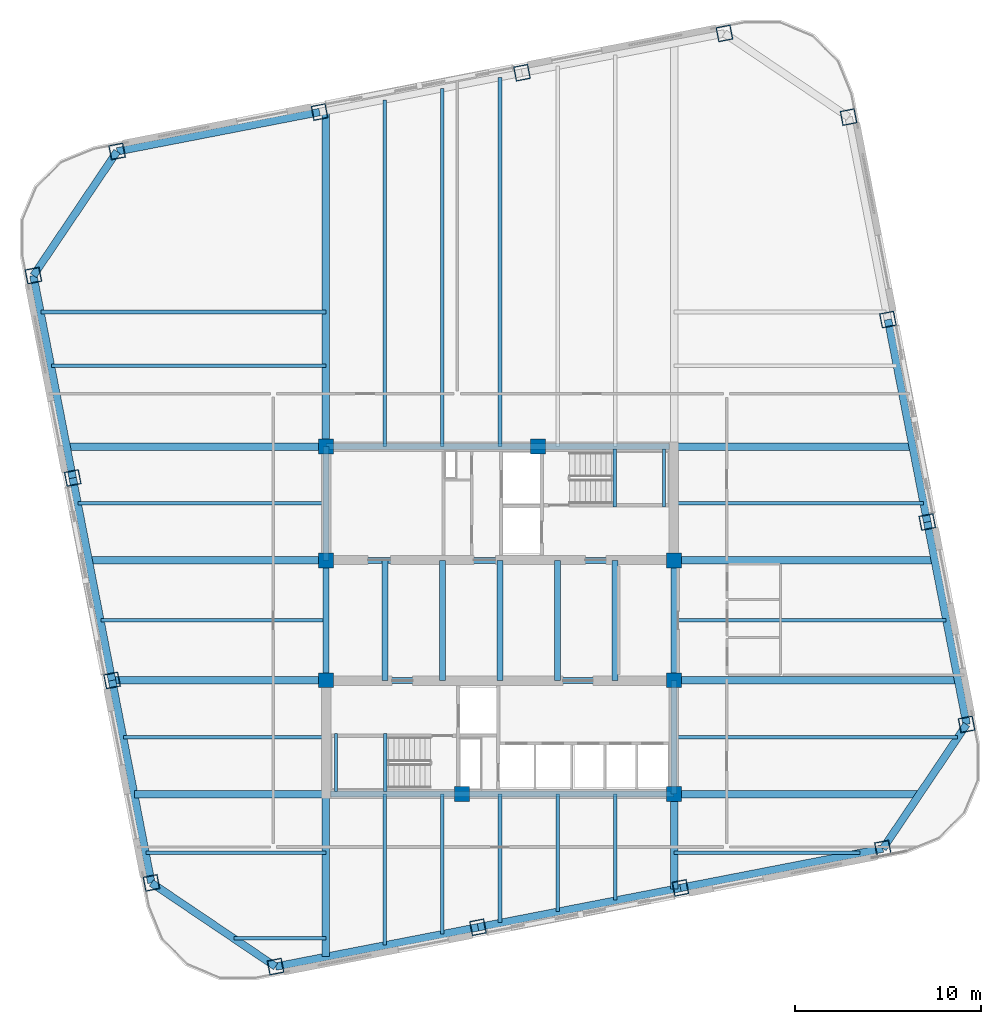
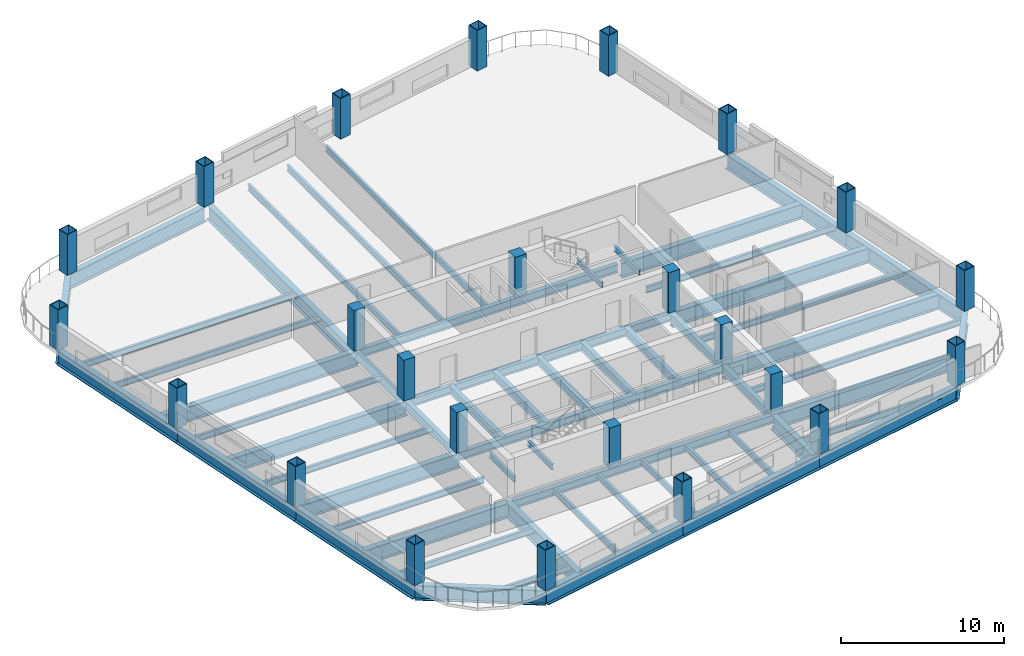
# One storey, part 1 of 8: 59 beams, 24 columns.
"""IFC4 building model written with IfcOpenShell, lengths in metres."""

from ifc_helpers import new_model, si_unit, direction, frame, origin, origin_2d, place, context, subcontext, project, spatial, rectangle, hollow_rectangle, i_section, extrude, material, material_profile, profile_set, type_object, element, save


model = new_model("IFC4")

# Units and contexts
model_context = context("Model", 3, precision=1e-05, world=origin(), true_north=direction((0.0, 1.0)))
body_context = subcontext(model_context, "Body", "Model", "MODEL_VIEW")
ifc_project = project(units=[si_unit("LENGTHUNIT", "METRE"), si_unit("AREAUNIT", "SQUARE_METRE"), si_unit("VOLUMEUNIT", "CUBIC_METRE"), si_unit("PLANEANGLEUNIT", "RADIAN"), si_unit("MASSUNIT", "GRAM", prefix="KILO")], contexts=[model_context])

# Site, building, storey
site_placement = place(None, origin())
site = spatial("IfcSite", under=ifc_project, at=site_placement, CompositionType="ELEMENT")
building_placement = place(site_placement, origin())
building = spatial("IfcBuilding", under=site, at=building_placement, Name="Qhalaya Broadcast Tower", CompositionType="ELEMENT")
storey_placement = place(building_placement, frame((0.0, 0.0, 115.85009765625)))
storey = spatial("IfcBuildingStorey", under=building, at=storey_placement, Name="L33", CompositionType="ELEMENT", Elevation=115.85009765625)

# Columns
ifc_material_1 = material(Name="Concrete C50/60", Category="concrete")
ifc_material_profile_1 = material_profile(ifc_material_1, rectangle(XDim=0.800048828125, YDim=0.800048828125, at=origin_2d()), Name="RC-COL 800x800")
ifc_profile_set_1 = profile_set([ifc_material_profile_1], Name="Concrete C50/60")
column_type_1 = type_object("IfcColumnType", Name="RC Upper Column C10", PredefinedType="COLUMN", material=ifc_profile_set_1)
for number, where, z_axis, x_axis, name in (
    (1, (-9.375, 9.949951171875, 0.0), (0.0, 0.0, 1.0), (1.0, 0.0, 0.0), "L33 Column COL-CC1"),
    (2, (2.050048828125, 9.949951171875, 0.0), (0.0, 0.0, 1.0), (1.0, 0.0, 0.0), "L33 Column COL-CC2"),
    (3, (-9.375, 3.824951171875, 0.0), (0.0, 0.0, 1.0), (1.0, 0.0, 0.0), "L33 Column COL-CC3"),
    (4, (9.375, 3.824951171875, 0.0), (0.0, 0.0, 1.0), (1.0, 0.0, 0.0), "L33 Column COL-CC4"),
    (5, (-9.375, -2.625, 0.0), (0.0, 0.0, 1.0), (1.0, 0.0, 0.0), "L33 Column COL-CC5"),
    (6, (9.375, -2.625, 0.0), (0.0, 0.0, 1.0), (1.0, 0.0, 0.0), "L33 Column COL-CC6"),
    (7, (-2.050048828125, -8.75, 0.0), (0.0, 0.0, 1.0), (1.0, 0.0, 0.0), "L33 Column COL-CC7"),
    (8, (9.375, -8.75, 0.0), (0.0, 0.0, 1.0), (1.0, 0.0, 0.0), "L33 Column COL-CC8"),
):
    element("IfcColumn", number, at=place(storey_placement, frame(where, z_axis=z_axis, x_axis=x_axis)), inside=storey, type_object=column_type_1, Name=name, PredefinedType="COLUMN", context=body_context, shape_type="SweptSolid", body=[
        extrude(rectangle(XDim=0.800048828125, YDim=0.800048828125, at=origin_2d()), origin(), (0.0, 0.0, 1.0), 3.0498046875),
    ])
ifc_material_2 = material(Name="Structural Steel ASTM A572 Grade 50", Category="steel")
ifc_material_profile_2 = material_profile(ifc_material_2, hollow_rectangle(XDim=0.800048828125, YDim=0.800048828125, WallThickness=0.050048828125, at=origin_2d()), Name="BOX 800x800x50")
ifc_profile_set_2 = profile_set([ifc_material_profile_2], Name="Structural Steel ASTM A572 Grade 50")
column_type_2 = type_object("IfcColumnType", Name="Steel Box Column C03", PredefinedType="COLUMN", material=ifc_profile_set_2)
for number, where, z_axis, x_axis, name in (
    (9, (-12.07958984375, -18.036376953125, 0.0), (0.0, 0.0, 1.0), (0.981627183448, 0.190808995377, 0.0), "L33 Column COL-EX01"),
    (10, (-1.183349609375, -15.91845703125, 0.0), (0.0, 0.0, 1.0), (0.981627183448, 0.190808995377, 0.0), "L33 Column COL-EX02"),
    (11, (9.712646484375, -13.80029296875, 0.0), (0.0, 0.0, 1.0), (0.981627183448, 0.190808995377, 0.0), "L33 Column COL-EX03"),
    (12, (20.608642578125, -11.682373046875, 0.0), (0.0, 0.0, 1.0), (0.981627183448, 0.190808995377, 0.0), "L33 Column COL-EX04"),
    (13, (25.1162109375, -4.99951171875, 0.0), (0.0, 0.0, 1.0), (-0.190808995377, 0.981627183448, 0.0), "L33 Column COL-EX05"),
    (14, (22.998291015625, 5.896484375, 0.0), (0.0, 0.0, 1.0), (-0.190808995377, 0.981627183448, 0.0), "L33 Column COL-EX06"),
    (15, (20.88037109375, 16.79248046875, 0.0), (0.0, 0.0, 1.0), (-0.190808995377, 0.981627183448, 0.0), "L33 Column COL-EX07"),
    (16, (18.762451171875, 27.688720703125, 0.0), (0.0, 0.0, 1.0), (-0.190808995377, 0.981627183448, 0.0), "L33 Column COL-EX08"),
    (17, (12.07958984375, 32.1962890625, 0.0), (0.0, 0.0, 1.0), (0.981627183448, 0.190808995377, 0.0), "L33 Column COL-EX09"),
    (18, (1.183349609375, 30.078369140625, 0.0), (0.0, 0.0, 1.0), (0.981627183448, 0.190808995377, 0.0), "L33 Column COL-EX10"),
    (19, (-9.712646484375, 27.96044921875, 0.0), (0.0, 0.0, 1.0), (0.981627183448, 0.190808995377, 0.0), "L33 Column COL-EX11"),
    (20, (-20.608642578125, 25.84228515625, 0.0), (0.0, 0.0, 1.0), (0.981627183448, 0.190808995377, 0.0), "L33 Column COL-EX12"),
    (21, (-25.1162109375, 19.159423828125, 0.0), (0.0, 0.0, 1.0), (-0.190808995377, 0.981627183448, 0.0), "L33 Column COL-EX13"),
    (22, (-22.998291015625, 8.263427734375, 0.0), (0.0, 0.0, 1.0), (-0.190808995377, 0.981627183448, 0.0), "L33 Column COL-EX14"),
    (23, (-20.88037109375, -2.632568359375, 0.0), (0.0, 0.0, 1.0), (-0.190808995377, 0.981627183448, 0.0), "L33 Column COL-EX15"),
    (24, (-18.762451171875, -13.52880859375, 0.0), (0.0, 0.0, 1.0), (-0.190808995377, 0.981627183448, 0.0), "L33 Column COL-EX16"),
):
    element("IfcColumn", number, at=place(storey_placement, frame(where, z_axis=z_axis, x_axis=x_axis)), inside=storey, type_object=column_type_2, Name=name, PredefinedType="COLUMN", context=body_context, shape_type="SweptSolid", body=[
        extrude(hollow_rectangle(XDim=0.800048828125, YDim=0.800048828125, WallThickness=0.050048828125, at=origin_2d()), origin(), (0.0, 0.0, 1.0), 3.0498046875),
    ])

# Beams
ifc_material_3 = material(Name="Structural Steel ASTM A992 Grade 50", Category="steel")
ifc_material_profile_3 = material_profile(ifc_material_3, i_section(OverallWidth=0.19189453125, OverallDepth=0.462890625, WebThickness=0.010498046875, FlangeThickness=0.017578125, at=origin_2d()), Name="W18X60")
ifc_profile_set_3 = profile_set([ifc_material_profile_3], Name="Structural Steel ASTM A992 Grade 50")
beam_type_1 = type_object("IfcBeamType", Name="Composite Floor Joist J03", PredefinedType="JOIST", material=ifc_profile_set_3)
beam_1_placement = place(storey_placement, frame((-6.199951171875, -16.873046875, -0.45166015625), z_axis=(0.0, 1.0, 0.0), x_axis=(-1.0, 0.0, 0.0)))
element("IfcBeam", 25, at=beam_1_placement, inside=storey, type_object=beam_type_1, Name="L33 J03 L33-JNS1-1", PredefinedType="JOIST", context=body_context, shape_type="SweptSolid", body=[
    extrude(i_section(OverallWidth=0.19189453125, OverallDepth=0.462890625, WebThickness=0.010498046875, FlangeThickness=0.017578125, at=origin_2d()), origin(), (0.0, 0.0, 1.0), 8.123046875),
])
beam_2_placement = place(storey_placement, frame((-6.199951171875, 9.949951171875, -0.45166015625), z_axis=(0.0, 1.0, 0.0), x_axis=(-1.0, 0.0, 0.0)))
element("IfcBeam", 26, at=beam_2_placement, inside=storey, type_object=beam_type_1, Name="L33 J03 L33-JNN1-1", PredefinedType="JOIST", context=body_context, shape_type="SweptSolid", body=[
    extrude(i_section(OverallWidth=0.19189453125, OverallDepth=0.462890625, WebThickness=0.010498046875, FlangeThickness=0.017578125, at=origin_2d()), origin(), (0.0, 0.0, 1.0), 18.6728515625),
])
beam_3_placement = place(storey_placement, frame((-3.10009765625, -16.2705078125, -0.45166015625), z_axis=(0.0, 1.0, 0.0), x_axis=(-1.0, 0.0, 0.0)))
element("IfcBeam", 27, at=beam_3_placement, inside=storey, type_object=beam_type_1, Name="L33 J03 L33-JNS2-1", PredefinedType="JOIST", context=body_context, shape_type="SweptSolid", body=[
    extrude(i_section(OverallWidth=0.19189453125, OverallDepth=0.462890625, WebThickness=0.010498046875, FlangeThickness=0.017578125, at=origin_2d()), origin(), (0.0, 0.0, 1.0), 7.5205078125),
])
beam_4_placement = place(storey_placement, frame((-3.10009765625, 9.949951171875, -0.45166015625), z_axis=(0.0, 1.0, 0.0), x_axis=(-1.0, 0.0, 0.0)))
element("IfcBeam", 28, at=beam_4_placement, inside=storey, type_object=beam_type_1, Name="L33 J03 L33-JNN2-1", PredefinedType="JOIST", context=body_context, shape_type="SweptSolid", body=[
    extrude(i_section(OverallWidth=0.19189453125, OverallDepth=0.462890625, WebThickness=0.010498046875, FlangeThickness=0.017578125, at=origin_2d()), origin(), (0.0, 0.0, 1.0), 19.275390625),
])
beam_5_placement = place(storey_placement, frame((0.0, -15.66796875, -0.45166015625), z_axis=(0.0, 1.0, 0.0), x_axis=(-1.0, 0.0, 0.0)))
element("IfcBeam", 29, at=beam_5_placement, inside=storey, type_object=beam_type_1, Name="L33 J03 L33-JNS3-1", PredefinedType="JOIST", context=body_context, shape_type="SweptSolid", body=[
    extrude(i_section(OverallWidth=0.19189453125, OverallDepth=0.462890625, WebThickness=0.010498046875, FlangeThickness=0.017578125, at=origin_2d()), origin(), (0.0, 0.0, 1.0), 6.91796875),
])
beam_6_placement = place(storey_placement, frame((0.0, 9.949951171875, -0.45166015625), z_axis=(0.0, 1.0, 0.0), x_axis=(-1.0, 0.0, 0.0)))
element("IfcBeam", 30, at=beam_6_placement, inside=storey, type_object=beam_type_1, Name="L33 J03 L33-JNN3-1", PredefinedType="JOIST", context=body_context, shape_type="SweptSolid", body=[
    extrude(i_section(OverallWidth=0.19189453125, OverallDepth=0.462890625, WebThickness=0.010498046875, FlangeThickness=0.017578125, at=origin_2d()), origin(), (0.0, 0.0, 1.0), 19.8779296875),
])
beam_7_placement = place(storey_placement, frame((3.10009765625, -15.0654296875, -0.45166015625), z_axis=(0.0, 1.0, 0.0), x_axis=(-1.0, 0.0, 0.0)))
element("IfcBeam", 31, at=beam_7_placement, inside=storey, type_object=beam_type_1, Name="L33 J03 L33-JNS4-1", PredefinedType="JOIST", context=body_context, shape_type="SweptSolid", body=[
    extrude(i_section(OverallWidth=0.19189453125, OverallDepth=0.462890625, WebThickness=0.010498046875, FlangeThickness=0.017578125, at=origin_2d()), origin(), (0.0, 0.0, 1.0), 6.3154296875),
])
beam_8_placement = place(storey_placement, frame((6.199951171875, -14.462890625, -0.45166015625), z_axis=(0.0, 1.0, 0.0), x_axis=(-1.0, 0.0, 0.0)))
element("IfcBeam", 32, at=beam_8_placement, inside=storey, type_object=beam_type_1, Name="L33 J03 L33-JNS5-1", PredefinedType="JOIST", context=body_context, shape_type="SweptSolid", body=[
    extrude(i_section(OverallWidth=0.19189453125, OverallDepth=0.462890625, WebThickness=0.010498046875, FlangeThickness=0.017578125, at=origin_2d()), origin(), (0.0, 0.0, 1.0), 5.712890625),
])
beam_9_placement = place(storey_placement, frame((-14.3212890625, -16.5, -0.45166015625), z_axis=(1.0, 0.0, 0.0), x_axis=(0.0, 1.0, 0.0)))
element("IfcBeam", 33, at=beam_9_placement, inside=storey, type_object=beam_type_1, Name="L33 J03 L33-JWE1W-1", PredefinedType="JOIST", context=body_context, shape_type="SweptSolid", body=[
    extrude(i_section(OverallWidth=0.19189453125, OverallDepth=0.462890625, WebThickness=0.010498046875, FlangeThickness=0.017578125, at=origin_2d()), origin(), (0.0, 0.0, 1.0), 4.9462890625),
])
beam_10_placement = place(storey_placement, frame((-19.05859375, -11.89990234375, -0.45166015625), z_axis=(1.0, 0.0, 0.0), x_axis=(0.0, 1.0, 0.0)))
element("IfcBeam", 34, at=beam_10_placement, inside=storey, type_object=beam_type_1, Name="L33 J03 L33-JWE2W-1", PredefinedType="JOIST", context=body_context, shape_type="SweptSolid", body=[
    extrude(i_section(OverallWidth=0.19189453125, OverallDepth=0.462890625, WebThickness=0.010498046875, FlangeThickness=0.017578125, at=origin_2d()), origin(), (0.0, 0.0, 1.0), 9.68359375),
])
beam_11_placement = place(storey_placement, frame((9.375, -11.89990234375, -0.45166015625), z_axis=(1.0, 0.0, 0.0), x_axis=(0.0, 1.0, 0.0)))
element("IfcBeam", 35, at=beam_11_placement, inside=storey, type_object=beam_type_1, Name="L33 J03 L33-JWE2E-1", PredefinedType="JOIST", context=body_context, shape_type="SweptSolid", body=[
    extrude(i_section(OverallWidth=0.19189453125, OverallDepth=0.462890625, WebThickness=0.010498046875, FlangeThickness=0.017578125, at=origin_2d()), origin(), (0.0, 0.0, 1.0), 10.009521484375),
])
beam_12_placement = place(storey_placement, frame((-20.263916015625, -5.699951171875, -0.45166015625), z_axis=(1.0, 0.0, 0.0), x_axis=(0.0, 1.0, 0.0)))
element("IfcBeam", 36, at=beam_12_placement, inside=storey, type_object=beam_type_1, Name="L33 J03 L33-JWE3W-1", PredefinedType="JOIST", context=body_context, shape_type="SweptSolid", body=[
    extrude(i_section(OverallWidth=0.19189453125, OverallDepth=0.462890625, WebThickness=0.010498046875, FlangeThickness=0.017578125, at=origin_2d()), origin(), (0.0, 0.0, 1.0), 10.888916015625),
])
beam_13_placement = place(storey_placement, frame((9.375, -5.699951171875, -0.45166015625), z_axis=(1.0, 0.0, 0.0), x_axis=(0.0, 1.0, 0.0)))
element("IfcBeam", 37, at=beam_13_placement, inside=storey, type_object=beam_type_1, Name="L33 J03 L33-JWE3E-1", PredefinedType="JOIST", context=body_context, shape_type="SweptSolid", body=[
    extrude(i_section(OverallWidth=0.19189453125, OverallDepth=0.462890625, WebThickness=0.010498046875, FlangeThickness=0.017578125, at=origin_2d()), origin(), (0.0, 0.0, 1.0), 15.24462890625),
])
beam_14_placement = place(storey_placement, frame((-21.48828125, 0.60009765625, -0.45166015625), z_axis=(1.0, 0.0, 0.0), x_axis=(0.0, 1.0, 0.0)))
element("IfcBeam", 38, at=beam_14_placement, inside=storey, type_object=beam_type_1, Name="L33 J03 L33-JWE4W-1", PredefinedType="JOIST", context=body_context, shape_type="SweptSolid", body=[
    extrude(i_section(OverallWidth=0.19189453125, OverallDepth=0.462890625, WebThickness=0.010498046875, FlangeThickness=0.017578125, at=origin_2d()), origin(), (0.0, 0.0, 1.0), 12.11328125),
])
beam_15_placement = place(storey_placement, frame((9.375, 0.60009765625, -0.45166015625), z_axis=(1.0, 0.0, 0.0), x_axis=(0.0, 1.0, 0.0)))
element("IfcBeam", 39, at=beam_15_placement, inside=storey, type_object=beam_type_1, Name="L33 J03 L33-JWE4E-1", PredefinedType="JOIST", context=body_context, shape_type="SweptSolid", body=[
    extrude(i_section(OverallWidth=0.19189453125, OverallDepth=0.462890625, WebThickness=0.010498046875, FlangeThickness=0.017578125, at=origin_2d()), origin(), (0.0, 0.0, 1.0), 14.632568359375),
])
beam_16_placement = place(storey_placement, frame((-22.712890625, 6.89990234375, -0.45166015625), z_axis=(1.0, 0.0, 0.0), x_axis=(0.0, 1.0, 0.0)))
element("IfcBeam", 40, at=beam_16_placement, inside=storey, type_object=beam_type_1, Name="L33 J03 L33-JWE5W-1", PredefinedType="JOIST", context=body_context, shape_type="SweptSolid", body=[
    extrude(i_section(OverallWidth=0.19189453125, OverallDepth=0.462890625, WebThickness=0.010498046875, FlangeThickness=0.017578125, at=origin_2d()), origin(), (0.0, 0.0, 1.0), 13.337890625),
])
beam_17_placement = place(storey_placement, frame((9.375, 6.89990234375, -0.45166015625), z_axis=(1.0, 0.0, 0.0), x_axis=(0.0, 1.0, 0.0)))
element("IfcBeam", 41, at=beam_17_placement, inside=storey, type_object=beam_type_1, Name="L33 J03 L33-JWE5E-1", PredefinedType="JOIST", context=body_context, shape_type="SweptSolid", body=[
    extrude(i_section(OverallWidth=0.19189453125, OverallDepth=0.462890625, WebThickness=0.010498046875, FlangeThickness=0.017578125, at=origin_2d()), origin(), (0.0, 0.0, 1.0), 13.407958984375),
])
beam_18_placement = place(storey_placement, frame((-24.1513671875, 14.300048828125, -0.45166015625), z_axis=(1.0, 0.0, 0.0), x_axis=(0.0, 1.0, 0.0)))
element("IfcBeam", 42, at=beam_18_placement, inside=storey, type_object=beam_type_1, Name="L33 J03 L33-JWE6W-1", PredefinedType="JOIST", context=body_context, shape_type="SweptSolid", body=[
    extrude(i_section(OverallWidth=0.19189453125, OverallDepth=0.462890625, WebThickness=0.010498046875, FlangeThickness=0.017578125, at=origin_2d()), origin(), (0.0, 0.0, 1.0), 14.7763671875),
])
beam_19_placement = place(storey_placement, frame((-24.715087890625, 17.199951171875, -0.45166015625), z_axis=(1.0, 0.0, 0.0), x_axis=(0.0, 1.0, 0.0)))
element("IfcBeam", 43, at=beam_19_placement, inside=storey, type_object=beam_type_1, Name="L33 J03 L33-JWE7W-1", PredefinedType="JOIST", context=body_context, shape_type="SweptSolid", body=[
    extrude(i_section(OverallWidth=0.19189453125, OverallDepth=0.462890625, WebThickness=0.010498046875, FlangeThickness=0.017578125, at=origin_2d()), origin(), (0.0, 0.0, 1.0), 15.340087890625),
])
ifc_material_profile_4 = material_profile(ifc_material_3, i_section(OverallWidth=0.323974609375, OverallDepth=0.612060546875, WebThickness=0.0126953125, FlangeThickness=0.01904296875, at=origin_2d()), Name="W24X104")
ifc_profile_set_4 = profile_set([ifc_material_profile_4], Name="Structural Steel ASTM A992 Grade 50")
beam_type_2 = type_object("IfcBeamType", Name="Core Frame Tie Beam B04", PredefinedType="BEAM", material=ifc_profile_set_4)
beam_20_placement = place(storey_placement, frame((-9.375, 3.824951171875, -0.526123046875), z_axis=(1.0, 0.0, 0.0), x_axis=(0.0, 1.0, 0.0)))
element("IfcBeam", 44, at=beam_20_placement, inside=storey, type_object=beam_type_2, Name="L33 B04 L33-CCN1", PredefinedType="BEAM", context=body_context, shape_type="SweptSolid", body=[
    extrude(i_section(OverallWidth=0.323974609375, OverallDepth=0.612060546875, WebThickness=0.0126953125, FlangeThickness=0.01904296875, at=origin_2d()), origin(), (0.0, 0.0, 1.0), 18.75),
])
beam_21_placement = place(storey_placement, frame((-9.375, 3.824951171875, -0.526123046875), z_axis=(0.0, 1.0, 0.0), x_axis=(-1.0, 0.0, 0.0)))
element("IfcBeam", 45, at=beam_21_placement, inside=storey, type_object=beam_type_2, Name="L33 B04 L33-CCN2", PredefinedType="BEAM", context=body_context, shape_type="SweptSolid", body=[
    extrude(i_section(OverallWidth=0.323974609375, OverallDepth=0.612060546875, WebThickness=0.0126953125, FlangeThickness=0.01904296875, at=origin_2d()), origin(), (0.0, 0.0, 1.0), 6.125),
])
beam_22_placement = place(storey_placement, frame((-9.375, 9.949951171875, -0.526123046875), z_axis=(1.0, 0.0, 0.0), x_axis=(0.0, 1.0, 0.0)))
element("IfcBeam", 46, at=beam_22_placement, inside=storey, type_object=beam_type_2, Name="L33 B04 L33-CCN3", PredefinedType="BEAM", context=body_context, shape_type="SweptSolid", body=[
    extrude(i_section(OverallWidth=0.323974609375, OverallDepth=0.612060546875, WebThickness=0.0126953125, FlangeThickness=0.01904296875, at=origin_2d()), origin(), (0.0, 0.0, 1.0), 18.4951171875),
])
beam_23_placement = place(storey_placement, frame((-9.375, -2.625, -0.526123046875), z_axis=(1.0, 0.0, 0.0), x_axis=(0.0, 1.0, 0.0)))
element("IfcBeam", 47, at=beam_23_placement, inside=storey, type_object=beam_type_2, Name="L33 B04 L33-CCS1", PredefinedType="BEAM", context=body_context, shape_type="SweptSolid", body=[
    extrude(i_section(OverallWidth=0.323974609375, OverallDepth=0.612060546875, WebThickness=0.0126953125, FlangeThickness=0.01904296875, at=origin_2d()), origin(), (0.0, 0.0, 1.0), 18.75),
])
beam_24_placement = place(storey_placement, frame((9.375, -8.75, -0.526123046875), z_axis=(0.0, 1.0, 0.0), x_axis=(-1.0, 0.0, 0.0)))
element("IfcBeam", 48, at=beam_24_placement, inside=storey, type_object=beam_type_2, Name="L33 B04 L33-CCS2", PredefinedType="BEAM", context=body_context, shape_type="SweptSolid", body=[
    extrude(i_section(OverallWidth=0.323974609375, OverallDepth=0.612060546875, WebThickness=0.0126953125, FlangeThickness=0.01904296875, at=origin_2d()), origin(), (0.0, 0.0, 1.0), 6.125),
])
beam_25_placement = place(storey_placement, frame((-9.1201171875, -8.75, -0.526123046875), z_axis=(1.0, 0.0, 0.0), x_axis=(0.0, 1.0, 0.0)))
element("IfcBeam", 49, at=beam_25_placement, inside=storey, type_object=beam_type_2, Name="L33 B04 L33-CCS3", PredefinedType="BEAM", context=body_context, shape_type="SweptSolid", body=[
    extrude(i_section(OverallWidth=0.323974609375, OverallDepth=0.612060546875, WebThickness=0.0126953125, FlangeThickness=0.01904296875, at=origin_2d()), origin(), (0.0, 0.0, 1.0), 18.4951171875),
])
for number, where, z_axis, x_axis, name in (
    (50, (-9.375, -2.625, -0.526123046875), (0.0, 1.0, 0.0), (-1.0, 0.0, 0.0), "L33 B04 L33-CCW"),
    (51, (9.375, -2.625, -0.526123046875), (0.0, 1.0, 0.0), (-1.0, 0.0, 0.0), "L33 B04 L33-CCE"),
    (52, (-6.199951171875, -2.625, -0.526123046875), (0.0, 1.0, 0.0), (-1.0, 0.0, 0.0), "L33 B04 L33-JC1-1"),
    (53, (-3.10009765625, -2.625, -0.526123046875), (0.0, 1.0, 0.0), (-1.0, 0.0, 0.0), "L33 B04 L33-JC2-1"),
    (54, (0.0, -2.625, -0.526123046875), (0.0, 1.0, 0.0), (-1.0, 0.0, 0.0), "L33 B04 L33-JC3-1"),
    (55, (3.10009765625, -2.625, -0.526123046875), (0.0, 1.0, 0.0), (-1.0, 0.0, 0.0), "L33 B04 L33-JC4-1"),
    (56, (6.199951171875, -2.625, -0.526123046875), (0.0, 1.0, 0.0), (-1.0, 0.0, 0.0), "L33 B04 L33-JC5-1"),
):
    element("IfcBeam", number, at=place(storey_placement, frame(where, z_axis=z_axis, x_axis=x_axis)), inside=storey, type_object=beam_type_2, Name=name, PredefinedType="BEAM", context=body_context, shape_type="SweptSolid", body=[
        extrude(i_section(OverallWidth=0.323974609375, OverallDepth=0.612060546875, WebThickness=0.0126953125, FlangeThickness=0.01904296875, at=origin_2d()), origin(), (0.0, 0.0, 1.0), 6.449951171875),
    ])
ifc_material_profile_5 = material_profile(ifc_material_3, i_section(OverallWidth=0.404052734375, OverallDepth=1.117919921875, WebThickness=0.026123046875, FlangeThickness=0.044921875, at=origin_2d()), Name="W44X335")
ifc_profile_set_5 = profile_set([ifc_material_profile_5], Name="Structural Steel ASTM A992 Grade 50")
beam_type_3 = type_object("IfcBeamType", Name="Podium Long-Span Primary Girder PG1", PredefinedType="USERDEFINED", material=ifc_profile_set_5)
beam_26_placement = place(storey_placement, frame((-12.07958984375, -18.036376953125, -0.779052734375), z_axis=(0.98162878008, 0.190800781233, 0.0), x_axis=(-0.190800781233, 0.98162878008, 0.0)))
element("IfcBeam", 57, at=beam_26_placement, inside=storey, type_object=beam_type_3, Name="L33 PG1 L33-SPR-01", ObjectType="GIRDER", PredefinedType="USERDEFINED", context=body_context, shape_type="SweptSolid", body=[
    extrude(i_section(OverallWidth=0.404052734375, OverallDepth=1.117919921875, WebThickness=0.026123046875, FlangeThickness=0.044921875, at=origin_2d()), origin(), (0.0, 0.0, 1.0), 11.10009765625),
])
for number, where, z_axis, x_axis, name in (
    (58, (-1.183349609375, -15.91845703125, -0.779052734375), (0.981623859527, 0.190826094673, 0.0), (-0.190826094673, 0.981623859527, 0.0), "L33 PG1 L33-SPR-02"),
    (59, (9.712646484375, -13.80029296875, -0.779052734375), (0.981627979352, 0.190804900759, 0.0), (-0.190804900759, 0.981627979352, 0.0), "L33 PG1 L33-SPR-03"),
):
    element("IfcBeam", number, at=place(storey_placement, frame(where, z_axis=z_axis, x_axis=x_axis)), inside=storey, type_object=beam_type_3, Name=name, ObjectType="GIRDER", PredefinedType="USERDEFINED", context=body_context, shape_type="SweptSolid", body=[
        extrude(i_section(OverallWidth=0.404052734375, OverallDepth=1.117919921875, WebThickness=0.026123046875, FlangeThickness=0.044921875, at=origin_2d()), origin(), (0.0, 0.0, 1.0), 11.099853515625),
    ])
beam_27_placement = place(storey_placement, frame((20.608642578125, -11.682373046875, -0.779052734375), z_axis=(0.559186208288, 0.829042088473, 0.0), x_axis=(-0.829042088473, 0.559186208288, 0.0)))
element("IfcBeam", 60, at=beam_27_placement, inside=storey, type_object=beam_type_3, Name="L33 PG1 L33-SPR-04", ObjectType="GIRDER", PredefinedType="USERDEFINED", context=body_context, shape_type="SweptSolid", body=[
    extrude(i_section(OverallWidth=0.404052734375, OverallDepth=1.117919921875, WebThickness=0.026123046875, FlangeThickness=0.044921875, at=origin_2d()), origin(), (0.0, 0.0, 1.0), 8.06103515625),
])
for number, where, z_axis, x_axis, name in (
    (61, (25.1162109375, -4.99951171875, -0.779052734375), (-0.190804900759, 0.981627979352, 0.0), (-0.981627979352, -0.190804900759, 0.0), "L33 PG1 L33-SPR-05"),
    (62, (22.998291015625, 5.896484375, -0.779052734375), (-0.190804900759, 0.981627979352, 0.0), (-0.981627979352, -0.190804900759, 0.0), "L33 PG1 L33-SPR-06"),
    (63, (-9.712646484375, 27.96044921875, -0.779052734375), (-0.981623859527, -0.190826094673, 0.0), (0.190826094673, -0.981623859527, 0.0), "L33 PG1 L33-SPR-11"),
):
    element("IfcBeam", number, at=place(storey_placement, frame(where, z_axis=z_axis, x_axis=x_axis)), inside=storey, type_object=beam_type_3, Name=name, ObjectType="GIRDER", PredefinedType="USERDEFINED", context=body_context, shape_type="SweptSolid", body=[
        extrude(i_section(OverallWidth=0.404052734375, OverallDepth=1.117919921875, WebThickness=0.026123046875, FlangeThickness=0.044921875, at=origin_2d()), origin(), (0.0, 0.0, 1.0), 11.099853515625),
    ])
beam_28_placement = place(storey_placement, frame((-20.608642578125, 25.84228515625, -0.779052734375), z_axis=(-0.559186208288, -0.829042088473, 0.0), x_axis=(0.829042088473, -0.559186208288, 0.0)))
element("IfcBeam", 64, at=beam_28_placement, inside=storey, type_object=beam_type_3, Name="L33 PG1 L33-SPR-12", ObjectType="GIRDER", PredefinedType="USERDEFINED", context=body_context, shape_type="SweptSolid", body=[
    extrude(i_section(OverallWidth=0.404052734375, OverallDepth=1.117919921875, WebThickness=0.026123046875, FlangeThickness=0.044921875, at=origin_2d()), origin(), (0.0, 0.0, 1.0), 8.06103515625),
])
for number, where, z_axis, x_axis, name in (
    (65, (-25.1162109375, 19.159423828125, -0.779052734375), (0.190804900759, -0.981627979352, 0.0), (0.981627979352, 0.190804900759, 0.0), "L33 PG1 L33-SPR-13"),
    (66, (-22.998291015625, 8.263427734375, -0.779052734375), (0.190804900759, -0.981627979352, 0.0), (0.981627979352, 0.190804900759, 0.0), "L33 PG1 L33-SPR-14"),
):
    element("IfcBeam", number, at=place(storey_placement, frame(where, z_axis=z_axis, x_axis=x_axis)), inside=storey, type_object=beam_type_3, Name=name, ObjectType="GIRDER", PredefinedType="USERDEFINED", context=body_context, shape_type="SweptSolid", body=[
        extrude(i_section(OverallWidth=0.404052734375, OverallDepth=1.117919921875, WebThickness=0.026123046875, FlangeThickness=0.044921875, at=origin_2d()), origin(), (0.0, 0.0, 1.0), 11.099853515625),
    ])
beam_29_placement = place(storey_placement, frame((-20.88037109375, -2.632568359375, -0.779052734375), z_axis=(0.190800781233, -0.98162878008, 0.0), x_axis=(0.98162878008, 0.190800781233, 0.0)))
element("IfcBeam", 67, at=beam_29_placement, inside=storey, type_object=beam_type_3, Name="L33 PG1 L33-SPR-15", ObjectType="GIRDER", PredefinedType="USERDEFINED", context=body_context, shape_type="SweptSolid", body=[
    extrude(i_section(OverallWidth=0.404052734375, OverallDepth=1.117919921875, WebThickness=0.026123046875, FlangeThickness=0.044921875, at=origin_2d()), origin(), (0.0, 0.0, 1.0), 11.10009765625),
])
beam_30_placement = place(storey_placement, frame((-18.762451171875, -13.52880859375, -0.779052734375), z_axis=(0.829042088473, -0.559186208288, 0.0), x_axis=(0.559186208288, 0.829042088473, 0.0)))
element("IfcBeam", 68, at=beam_30_placement, inside=storey, type_object=beam_type_3, Name="L33 PG1 L33-SPR-16", ObjectType="GIRDER", PredefinedType="USERDEFINED", context=body_context, shape_type="SweptSolid", body=[
    extrude(i_section(OverallWidth=0.404052734375, OverallDepth=1.117919921875, WebThickness=0.026123046875, FlangeThickness=0.044921875, at=origin_2d()), origin(), (0.0, 0.0, 1.0), 8.06103515625),
])
beam_31_placement = place(storey_placement, frame((-9.375, -17.490234375, -0.779052734375), z_axis=(0.0, 1.0, 0.0), x_axis=(-1.0, 0.0, 0.0)))
element("IfcBeam", 69, at=beam_31_placement, inside=storey, type_object=beam_type_3, Name="L33 PG1 L33-PGXS1-1", ObjectType="GIRDER", PredefinedType="USERDEFINED", context=body_context, shape_type="SweptSolid", body=[
    extrude(i_section(OverallWidth=0.404052734375, OverallDepth=1.117919921875, WebThickness=0.026123046875, FlangeThickness=0.044921875, at=origin_2d()), origin(), (0.0, 0.0, 1.0), 8.740234375),
])
beam_32_placement = place(storey_placement, frame((-9.375, 9.949951171875, -0.779052734375), z_axis=(0.0, 1.0, 0.0), x_axis=(-1.0, 0.0, 0.0)))
element("IfcBeam", 70, at=beam_32_placement, inside=storey, type_object=beam_type_3, Name="L33 PG1 L33-PGXN1-1", ObjectType="GIRDER", PredefinedType="USERDEFINED", context=body_context, shape_type="SweptSolid", body=[
    extrude(i_section(OverallWidth=0.404052734375, OverallDepth=1.117919921875, WebThickness=0.026123046875, FlangeThickness=0.044921875, at=origin_2d()), origin(), (0.0, 0.0, 1.0), 18.0556640625),
])
beam_33_placement = place(storey_placement, frame((9.375, -13.845703125, -0.779052734375), z_axis=(0.0, 1.0, 0.0), x_axis=(-1.0, 0.0, 0.0)))
element("IfcBeam", 71, at=beam_33_placement, inside=storey, type_object=beam_type_3, Name="L33 PG1 L33-PGXS2-1", ObjectType="GIRDER", PredefinedType="USERDEFINED", context=body_context, shape_type="SweptSolid", body=[
    extrude(i_section(OverallWidth=0.404052734375, OverallDepth=1.117919921875, WebThickness=0.026123046875, FlangeThickness=0.044921875, at=origin_2d()), origin(), (0.0, 0.0, 1.0), 5.095703125),
])
beam_34_placement = place(storey_placement, frame((-19.6708984375, -8.75, -0.779052734375), z_axis=(1.0, 0.0, 0.0), x_axis=(0.0, 1.0, 0.0)))
element("IfcBeam", 72, at=beam_34_placement, inside=storey, type_object=beam_type_3, Name="L33 PG1 L33-PGYW1-1", ObjectType="GIRDER", PredefinedType="USERDEFINED", context=body_context, shape_type="SweptSolid", body=[
    extrude(i_section(OverallWidth=0.404052734375, OverallDepth=1.117919921875, WebThickness=0.026123046875, FlangeThickness=0.044921875, at=origin_2d()), origin(), (0.0, 0.0, 1.0), 10.2958984375),
])
beam_35_placement = place(storey_placement, frame((9.375, -8.75, -0.779052734375), z_axis=(1.0, 0.0, 0.0), x_axis=(0.0, 1.0, 0.0)))
element("IfcBeam", 73, at=beam_35_placement, inside=storey, type_object=beam_type_3, Name="L33 PG1 L33-PGYE1-1", ObjectType="GIRDER", PredefinedType="USERDEFINED", context=body_context, shape_type="SweptSolid", body=[
    extrude(i_section(OverallWidth=0.404052734375, OverallDepth=1.117919921875, WebThickness=0.026123046875, FlangeThickness=0.044921875, at=origin_2d()), origin(), (0.0, 0.0, 1.0), 13.1875),
])
beam_36_placement = place(storey_placement, frame((-20.861572265625, -2.625, -0.779052734375), z_axis=(1.0, 0.0, 0.0), x_axis=(0.0, 1.0, 0.0)))
element("IfcBeam", 74, at=beam_36_placement, inside=storey, type_object=beam_type_3, Name="L33 PG1 L33-PGYW2-1", ObjectType="GIRDER", PredefinedType="USERDEFINED", context=body_context, shape_type="SweptSolid", body=[
    extrude(i_section(OverallWidth=0.404052734375, OverallDepth=1.117919921875, WebThickness=0.026123046875, FlangeThickness=0.044921875, at=origin_2d()), origin(), (0.0, 0.0, 1.0), 11.486572265625),
])
beam_37_placement = place(storey_placement, frame((9.375, -2.625, -0.779052734375), z_axis=(1.0, 0.0, 0.0), x_axis=(0.0, 1.0, 0.0)))
element("IfcBeam", 75, at=beam_37_placement, inside=storey, type_object=beam_type_3, Name="L33 PG1 L33-PGYE2-1", ObjectType="GIRDER", PredefinedType="USERDEFINED", context=body_context, shape_type="SweptSolid", body=[
    extrude(i_section(OverallWidth=0.404052734375, OverallDepth=1.117919921875, WebThickness=0.026123046875, FlangeThickness=0.044921875, at=origin_2d()), origin(), (0.0, 0.0, 1.0), 15.259521484375),
])
beam_38_placement = place(storey_placement, frame((-22.115234375, 3.824951171875, -0.779052734375), z_axis=(1.0, 0.0, 0.0), x_axis=(0.0, 1.0, 0.0)))
element("IfcBeam", 76, at=beam_38_placement, inside=storey, type_object=beam_type_3, Name="L33 PG1 L33-PGYW3-1", ObjectType="GIRDER", PredefinedType="USERDEFINED", context=body_context, shape_type="SweptSolid", body=[
    extrude(i_section(OverallWidth=0.404052734375, OverallDepth=1.117919921875, WebThickness=0.026123046875, FlangeThickness=0.044921875, at=origin_2d()), origin(), (0.0, 0.0, 1.0), 12.740234375),
])
beam_39_placement = place(storey_placement, frame((9.375, 3.824951171875, -0.779052734375), z_axis=(1.0, 0.0, 0.0), x_axis=(0.0, 1.0, 0.0)))
element("IfcBeam", 77, at=beam_39_placement, inside=storey, type_object=beam_type_3, Name="L33 PG1 L33-PGYE3-1", ObjectType="GIRDER", PredefinedType="USERDEFINED", context=body_context, shape_type="SweptSolid", body=[
    extrude(i_section(OverallWidth=0.404052734375, OverallDepth=1.117919921875, WebThickness=0.026123046875, FlangeThickness=0.044921875, at=origin_2d()), origin(), (0.0, 0.0, 1.0), 14.005615234375),
])
beam_40_placement = place(storey_placement, frame((-23.305908203125, 9.949951171875, -0.779052734375), z_axis=(1.0, 0.0, 0.0), x_axis=(0.0, 1.0, 0.0)))
element("IfcBeam", 78, at=beam_40_placement, inside=storey, type_object=beam_type_3, Name="L33 PG1 L33-PGYW4-1", ObjectType="GIRDER", PredefinedType="USERDEFINED", context=body_context, shape_type="SweptSolid", body=[
    extrude(i_section(OverallWidth=0.404052734375, OverallDepth=1.117919921875, WebThickness=0.026123046875, FlangeThickness=0.044921875, at=origin_2d()), origin(), (0.0, 0.0, 1.0), 13.930908203125),
])
beam_41_placement = place(storey_placement, frame((9.375, 9.949951171875, -0.779052734375), z_axis=(1.0, 0.0, 0.0), x_axis=(0.0, 1.0, 0.0)))
element("IfcBeam", 79, at=beam_41_placement, inside=storey, type_object=beam_type_3, Name="L33 PG1 L33-PGYE4-1", ObjectType="GIRDER", PredefinedType="USERDEFINED", context=body_context, shape_type="SweptSolid", body=[
    extrude(i_section(OverallWidth=0.404052734375, OverallDepth=1.117919921875, WebThickness=0.026123046875, FlangeThickness=0.044921875, at=origin_2d()), origin(), (0.0, 0.0, 1.0), 12.815185546875),
])
ifc_material_profile_6 = material_profile(ifc_material_3, i_section(OverallWidth=0.177978515625, OverallDepth=0.406005859375, WebThickness=0.0078125, FlangeThickness=0.0126953125, at=origin_2d()), Name="W16X40")
ifc_profile_set_6 = profile_set([ifc_material_profile_6], Name="Structural Steel ASTM A992 Grade 50")
beam_type_4 = type_object("IfcBeamType", Name="Upper Perimeter Spandrel Beam SP2", PredefinedType="SPANDREL", material=ifc_profile_set_6)
for number, where, z_axis, x_axis, name in (
    (80, (6.175048828125, 6.699951171875, 1.121826171875), (0.0, 1.0, 0.0), (-1.0, 0.0, 0.0), "L33 ST-1 Half-Landing Bearer Beam 1"),
    (81, (8.830078125, 6.699951171875, 1.121826171875), (0.0, 1.0, 0.0), (-1.0, 0.0, 0.0), "L33 ST-1 Half-Landing Bearer Beam 2"),
    (82, (-8.830078125, -8.6201171875, 1.121826171875), (0.0, 1.0, 0.0), (-1.0, 0.0, 0.0), "L33 ST-2 Half-Landing Bearer Beam 1"),
    (83, (-6.175048828125, -8.6201171875, 1.121826171875), (0.0, 1.0, 0.0), (-1.0, 0.0, 0.0), "L33 ST-2 Half-Landing Bearer Beam 2"),
):
    element("IfcBeam", number, at=place(storey_placement, frame(where, z_axis=z_axis, x_axis=x_axis)), inside=storey, type_object=beam_type_4, Name=name, PredefinedType="SPANDREL", context=body_context, shape_type="SweptSolid", body=[
        extrude(i_section(OverallWidth=0.177978515625, OverallDepth=0.406005859375, WebThickness=0.0078125, FlangeThickness=0.0126953125, at=origin_2d()), origin(), (0.0, 0.0, 1.0), 3.1201171875),
    ])

save(model, "model.ifc")
